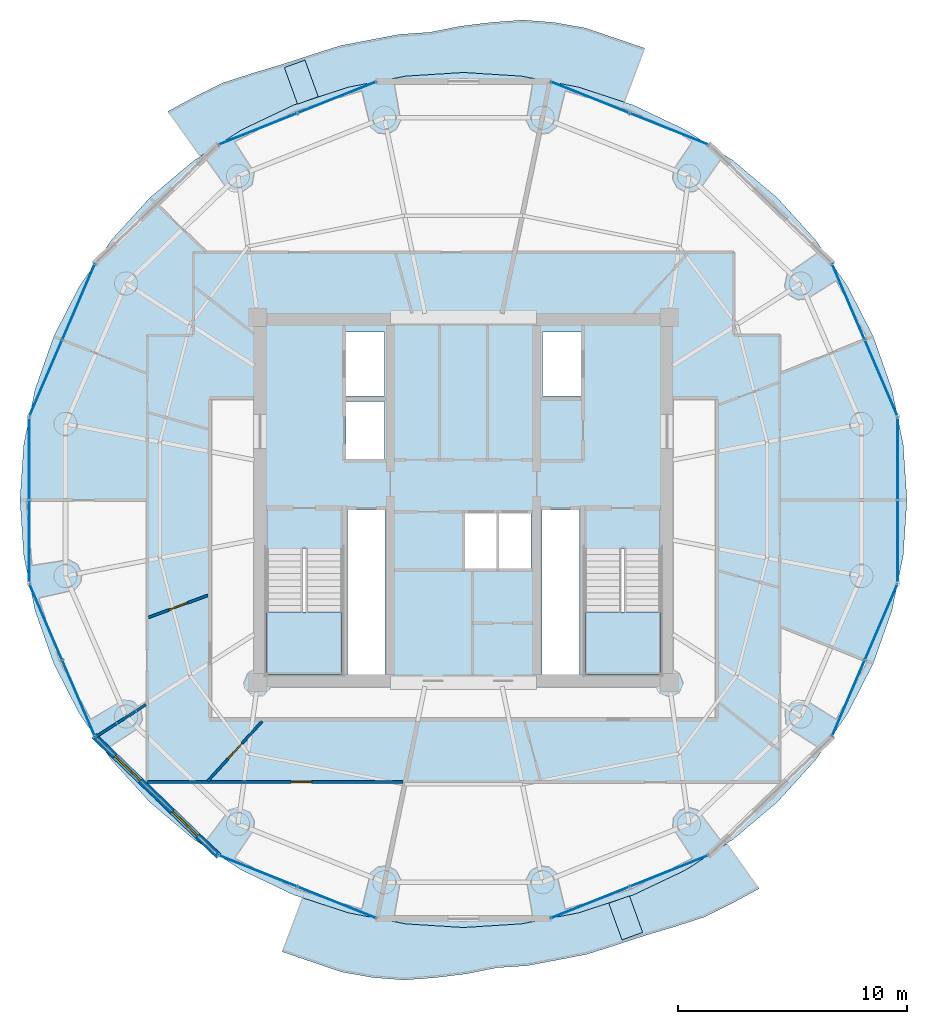
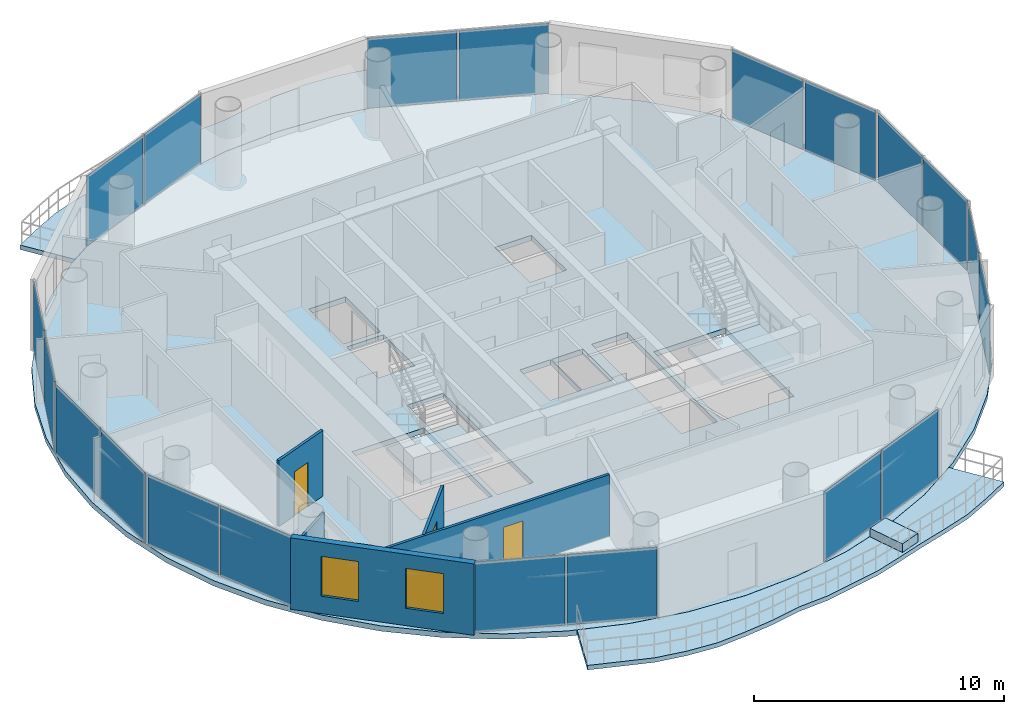
# One storey, part 14 of 22: 20 plates, 7 slabs, 5 walls, 3 doors, 2 windows, 5 openings, 12 elements without a shape of their own.
"""IFC4 building model written with IfcOpenShell, lengths in metres."""

from ifc_helpers import new_model, si_unit, direction, frame, frame_2d, origin, origin_2d, place, context, subcontext, project, spatial, polyline, rectangle, outline, extrude, source, transform, mapped, material, layer, layer_set, type_object, element, fill, aggregate, save


model = new_model("IFC4")

# Units and contexts
model_context = context("Model", 3, precision=1e-05, world=origin(), true_north=direction((-0.2419218956, 0.970295726276)))
body_context = subcontext(model_context, "Body", "Model", "MODEL_VIEW")
ifc_project = project(units=[si_unit("LENGTHUNIT", "METRE"), si_unit("AREAUNIT", "SQUARE_METRE"), si_unit("VOLUMEUNIT", "CUBIC_METRE"), si_unit("PLANEANGLEUNIT", "RADIAN"), si_unit("MASSUNIT", "GRAM", prefix="KILO")], contexts=[model_context])

# Site, building, storey
site_placement = place(None, origin())
site = spatial("IfcSite", under=ifc_project, at=site_placement, CompositionType="ELEMENT")
building_placement = place(site_placement, origin())
building = spatial("IfcBuilding", under=site, at=building_placement, Name="Cobrevalo Terracotta Tower", CompositionType="ELEMENT")
storey_placement = place(building_placement, frame((0.0, 0.0, 289.449951171875)))
storey = spatial("IfcBuildingStorey", under=building, at=storey_placement, Name="L76", CompositionType="ELEMENT", Elevation=289.449951171875)

# Stair, slab
ifc_material_1 = material(Name="Concrete C50", Category="concrete")
stair_type = type_object("IfcStairType", Name="Core protected escape dogleg stair 1600", PredefinedType="HALF_TURN_STAIR", material=ifc_material_1)
stair_1_placement = place(storey_placement, origin())
stair_1 = element("IfcStair", 1, at=stair_1_placement, inside=storey, type_object=stair_type, Name="L76 Protected exit stair ST-1", PredefinedType="HALF_TURN_STAIR")
ifc_layer_1 = layer(ifc_material_1, 0.199951171875)
ifc_layer_set_1 = layer_set([ifc_layer_1], Name="Concrete C50")
slab_type_1 = type_object("IfcSlabType", Name="Reinforced Concrete Stair Landing 200", PredefinedType="LANDING", material=ifc_layer_set_1)
slab_1_placement = place(storey_placement, frame((0.0, 0.0, 1.675048828125)))
slab_1 = element("IfcSlab", 2, at=slab_1_placement, type_object=slab_type_1, Name="ST-1 landing 1", PredefinedType="LANDING", context=body_context, shape_type="SweptSolid", body=[
    extrude(outline(polyline([(29.375, 21.89990234375), (29.375, 19.175048828125), (32.695068359375, 19.175048828125), (32.695068359375, 21.89990234375), (29.375, 21.89990234375)])), origin(), (0.0, 0.0, 1.0), 0.199951171875),
])
aggregate(stair_1, [slab_1])

stair_2_placement = place(storey_placement, origin())
stair_2 = element("IfcStair", 3, at=stair_2_placement, inside=storey, type_object=stair_type, Name="L76 Protected exit stair ST-2", PredefinedType="HALF_TURN_STAIR")
slab_2_placement = place(storey_placement, frame((0.0, 0.0, 1.675048828125)))
slab_2 = element("IfcSlab", 4, at=slab_2_placement, type_object=slab_type_1, Name="ST-2 landing 1", PredefinedType="LANDING", context=body_context, shape_type="SweptSolid", body=[
    extrude(outline(polyline([(43.304931640625, 21.89990234375), (43.304931640625, 19.175048828125), (46.625, 19.175048828125), (46.625, 21.89990234375), (43.304931640625, 21.89990234375)])), origin(), (0.0, 0.0, 1.0), 0.199951171875),
])
aggregate(stair_2, [slab_2])

# Slabs
ifc_material_2 = material(Name="Concrete C45", Category="concrete")
ifc_layer_2 = layer(ifc_material_2, 0.219970703125)
ifc_layer_set_2 = layer_set([ifc_layer_2], Name="Concrete C45")
slab_type_2 = type_object("IfcSlabType", Name="Spiralling cantilevered balcony lobe slab 220 mm", PredefinedType="FLOOR", material=ifc_layer_set_2)
slab_3_placement = place(storey_placement, frame((0.0, 0.0, -0.219970703125)))
element("IfcSlab", 5, at=slab_3_placement, inside=storey, type_object=slab_type_2, Name="L76 spiralling arc balcony slab lobe 1", PredefinedType="FLOOR", context=body_context, shape_type="SweptSolid", body=[
    extrude(outline(polyline([(45.924560546875, 46.564208984375), (44.626708984375, 47.00732421875), (43.32470703125, 47.447998046875), (41.968505859375, 47.68994140625), (40.59814453125, 47.796875), (39.22021484375, 47.693359375), (37.865478515625, 47.52734375), (36.535888671875, 47.26123046875), (35.205810546875, 47.169921875), (33.89697265625, 46.922607421875), (32.58935546875, 46.66845703125), (31.322021484375, 46.26708984375), (30.058837890625, 45.850830078125), (28.775146484375, 45.468994140625), (27.48291015625, 45.050048828125), (26.271240234375, 44.45361328125), (25.077392578125, 43.801513671875), (26.4833984375, 41.826904296875), (28.299072265625, 42.996337890625), (30.5751953125, 44.078369140625), (32.978271484375, 44.86474609375), (35.467529296875, 45.342041015625), (38.0, 45.501953125), (40.532470703125, 45.342041015625), (43.021728515625, 44.86474609375), (45.0380859375, 44.204833984375), (45.924560546875, 46.564208984375)])), origin(), (0.0, 0.0, 1.0), 0.219970703125),
])
slab_4_placement = place(storey_placement, frame((0.0, 0.0, -0.219970703125)))
element("IfcSlab", 6, at=slab_4_placement, inside=storey, type_object=slab_type_2, Name="L76 spiralling arc balcony slab lobe 2", PredefinedType="FLOOR", context=body_context, shape_type="SweptSolid", body=[
    extrude(outline(polyline([(30.075439453125, 7.035888671875), (31.373291015625, 6.592529296875), (32.67529296875, 6.152099609375), (34.031494140625, 5.91015625), (35.40185546875, 5.802978515625), (36.77978515625, 5.90673828125), (38.134521484375, 6.07275390625), (39.464111328125, 6.3388671875), (40.794189453125, 6.43017578125), (42.10302734375, 6.677490234375), (43.41064453125, 6.931640625), (44.677978515625, 7.332763671875), (45.941162109375, 7.7490234375), (47.224853515625, 8.131103515625), (48.51708984375, 8.550048828125), (49.728759765625, 9.146240234375), (50.922607421875, 9.79833984375), (49.5166015625, 11.77294921875), (47.700927734375, 10.603515625), (45.4248046875, 9.521484375), (43.021728515625, 8.7353515625), (40.532470703125, 8.258056640625), (38.0, 8.097900390625), (35.467529296875, 8.258056640625), (32.978271484375, 8.7353515625), (30.9619140625, 9.39501953125), (30.075439453125, 7.035888671875)])), origin(), (0.0, 0.0, 1.0), 0.219970703125),
])
ifc_material_3 = material(Name="Precast concrete C45", Category="concrete")
ifc_layer_3 = layer(ifc_material_3, 0.419921875)
ifc_layer_set_3 = layer_set([ifc_layer_3], Name="Precast concrete C45")
slab_type_3 = type_object("IfcSlabType", Name="Structural tree planter trough base 420 mm", PredefinedType="USERDEFINED", material=ifc_layer_set_3)
slab_5_placement = place(storey_placement, origin())
element("IfcSlab", 7, at=slab_5_placement, inside=storey, type_object=slab_type_3, Name="L76 structural tree planter trough 1", ObjectType="PLANTER", PredefinedType="USERDEFINED", context=body_context, shape_type="SweptSolid", body=[
    extrude(outline(polyline([(31.644287109375, 44.4423828125), (31.06591796875, 46.041015625), (30.163330078125, 45.714599609375), (30.74169921875, 44.115966796875), (31.644287109375, 44.4423828125)])), origin(), (0.0, 0.0, 1.0), 0.420166015625),
])
slab_6_placement = place(storey_placement, origin())
element("IfcSlab", 8, at=slab_6_placement, inside=storey, type_object=slab_type_3, Name="L76 structural tree planter trough 2", ObjectType="PLANTER", PredefinedType="USERDEFINED", context=body_context, shape_type="SweptSolid", body=[
    extrude(outline(polyline([(44.355712890625, 9.157470703125), (44.93408203125, 7.558837890625), (45.836669921875, 7.885498046875), (45.25830078125, 9.484130859375), (44.355712890625, 9.157470703125)])), origin(), (0.0, 0.0, 1.0), 0.420166015625),
])
ifc_layer_4 = layer(ifc_material_2, 0.260009765625)
ifc_layer_set_4 = layer_set([ifc_layer_4], Name="Concrete C45")
slab_type_4 = type_object("IfcSlabType", Name="Zone Z5 elliptical floor plate 260 mm", PredefinedType="FLOOR", material=ifc_layer_set_4)
slab_7_placement = place(storey_placement, frame((0.0, 0.0, -0.260009765625)))
element("IfcSlab", 9, at=slab_7_placement, inside=storey, type_object=slab_type_4, Name="L76 indoor elliptical floor slab", PredefinedType="FLOOR", context=body_context, shape_type="SweptSolid", body=[
    extrude(outline(polyline([(57.234130859375, 24.359130859375), (56.739013671875, 21.9599609375), (55.92333984375, 19.643798828125), (54.80078125, 17.449951171875), (53.39111328125, 15.416259765625), (51.7177734375, 13.5771484375), (49.81005859375, 11.96435546875), (47.699951171875, 10.605224609375), (45.424072265625, 9.5234375), (43.02099609375, 8.7373046875), (40.5322265625, 8.260009765625), (38.0, 8.10009765625), (35.4677734375, 8.260009765625), (32.97900390625, 8.7373046875), (30.575927734375, 9.5234375), (28.300048828125, 10.605224609375), (26.18994140625, 11.96435546875), (24.2822265625, 13.5771484375), (22.60888671875, 15.416259765625), (21.19921875, 17.449951171875), (20.07666015625, 19.643798828125), (19.260986328125, 21.9599609375), (18.765869140625, 24.359130859375), (18.60009765625, 26.800048828125), (18.765869140625, 29.24072265625), (19.260986328125, 31.639892578125), (20.07666015625, 33.956298828125), (21.19921875, 36.14990234375), (22.60888671875, 38.183837890625), (24.2822265625, 40.02294921875), (26.18994140625, 41.6357421875), (28.300048828125, 42.99462890625), (30.575927734375, 44.07666015625), (32.97900390625, 44.86279296875), (35.4677734375, 45.340087890625), (38.0, 45.5), (40.5322265625, 45.340087890625), (43.02099609375, 44.86279296875), (45.424072265625, 44.07666015625), (47.699951171875, 42.99462890625), (49.81005859375, 41.6357421875), (51.7177734375, 40.02294921875), (53.39111328125, 38.183837890625), (54.80078125, 36.14990234375), (55.92333984375, 33.956298828125), (56.739013671875, 31.639892578125), (57.234130859375, 29.24072265625), (57.39990234375, 26.800048828125), (57.234130859375, 24.359130859375)]), holes=[polyline([(32.695068359375, 19.175048828125), (32.695068359375, 24.659912109375), (29.375, 24.659912109375), (29.375, 19.175048828125), (32.695068359375, 19.175048828125)]), polyline([(46.625, 19.175048828125), (46.625, 24.659912109375), (43.304931640625, 24.659912109375), (43.304931640625, 19.175048828125), (46.625, 19.175048828125)]), polyline([(34.574951171875, 26.360107421875), (32.919921875, 26.360107421875), (32.919921875, 19.175048828125), (34.574951171875, 19.175048828125), (34.574951171875, 26.360107421875)]), polyline([(43.080078125, 26.360107421875), (41.425048828125, 26.360107421875), (41.425048828125, 19.175048828125), (43.080078125, 19.175048828125), (43.080078125, 26.360107421875)]), polyline([(39.469970703125, 26.25), (38.0400390625, 26.25), (38.0400390625, 23.800048828125), (39.469970703125, 23.800048828125), (39.469970703125, 26.25)]), polyline([(40.949951171875, 26.25), (39.52001953125, 26.25), (39.52001953125, 23.800048828125), (40.949951171875, 23.800048828125), (40.949951171875, 26.25)]), polyline([(34.550048828125, 31.10009765625), (32.85009765625, 31.10009765625), (32.85009765625, 28.60009765625), (34.550048828125, 28.60009765625), (34.550048828125, 31.10009765625)]), polyline([(34.550048828125, 31.35009765625), (34.550048828125, 34.14990234375), (32.85009765625, 34.14990234375), (32.85009765625, 31.35009765625), (34.550048828125, 31.35009765625)]), polyline([(43.14990234375, 31.35009765625), (43.14990234375, 34.14990234375), (41.449951171875, 34.14990234375), (41.449951171875, 31.35009765625), (43.14990234375, 31.35009765625)])]), origin(), (0.0, 0.0, 1.0), 0.260009765625),
])

# Curtain wall, plates
ifc_material_4 = material(Name="Anodized aluminium", Category="aluminium")
curtain_wall_type = type_object("IfcCurtainWallType", Name="Upper-tower triple-glazed penthouse curtain wall CW-U3", PredefinedType="NOTDEFINED", material=ifc_material_4)
curtain_wall_1_placement = place(storey_placement, origin())
curtain_wall_1 = element("IfcCurtainWall", 10, at=curtain_wall_1_placement, inside=storey, type_object=curtain_wall_type, Name="L76 curtain wall CW-L76-S03", PredefinedType="NOTDEFINED")
ifc_material_5 = material(Name="Solar-control low-E double glazing", Category="glass")
ifc_layer_5 = layer(ifc_material_5, 0.028076171875)
ifc_layer_set_5 = layer_set([ifc_layer_5], Name="Solar-control low-E double glazing")
plate_type = type_object("IfcPlateType", Name="Tower solar-control low-E vision glass panel 28 mm", PredefinedType="CURTAIN_PANEL", material=ifc_layer_set_5)
shared_shape_1 = source(origin(), body_context, "Body", "SweptSolid", [
    extrude(rectangle(XDim=3.63916015625, YDim=0.035888671875, at=origin_2d()), origin(), (0.0, 0.0, 1.0), 3.409912109375),
])
plate_1_placement = place(storey_placement, frame((46.997314453125, 43.02783203125, 0.0400390625), z_axis=(0.0, 0.0, 1.0), x_axis=(-0.92871833374, 0.370785998353, 0.0)))
plate_1 = element("IfcPlate", 11, at=plate_1_placement, type_object=plate_type, Name="CW-L76-S03 glazing panel B01", PredefinedType="CURTAIN_PANEL", context=body_context, shape_type="MappedRepresentation", body=[
    mapped(shared_shape_1, transform((0.0, 0.0, 0.0), scale=1.0)),
])
plate_2_placement = place(storey_placement, frame((43.543212890625, 44.406982421875, 0.0400390625), z_axis=(0.0, 0.0, 1.0), x_axis=(-0.92871833374, 0.370785998353, 0.0)))
plate_2 = element("IfcPlate", 12, at=plate_2_placement, type_object=plate_type, Name="CW-L76-S03 glazing panel B02", PredefinedType="CURTAIN_PANEL", context=body_context, shape_type="MappedRepresentation", body=[
    mapped(shared_shape_1, transform((0.0, 0.0, 0.0), scale=1.0)),
])
aggregate(curtain_wall_1, [plate_1, plate_2])

curtain_wall_2_placement = place(storey_placement, origin())
curtain_wall_2 = element("IfcCurtainWall", 13, at=curtain_wall_2_placement, inside=storey, type_object=curtain_wall_type, Name="L76 curtain wall CW-L76-S05", PredefinedType="NOTDEFINED")
plate_3_placement = place(storey_placement, frame((32.456787109375, 44.406982421875, 0.0400390625), z_axis=(0.0, 0.0, 1.0), x_axis=(-0.92871833374, -0.370785998353, 0.0)))
plate_3 = element("IfcPlate", 14, at=plate_3_placement, type_object=plate_type, Name="CW-L76-S05 glazing panel B01", PredefinedType="CURTAIN_PANEL", context=body_context, shape_type="MappedRepresentation", body=[
    mapped(shared_shape_1, transform((0.0, 0.0, 0.0), scale=1.0)),
])
plate_4_placement = place(storey_placement, frame((29.002685546875, 43.02783203125, 0.0400390625), z_axis=(0.0, 0.0, 1.0), x_axis=(-0.92871833374, -0.370785998353, 0.0)))
plate_4 = element("IfcPlate", 15, at=plate_4_placement, type_object=plate_type, Name="CW-L76-S05 glazing panel B02", PredefinedType="CURTAIN_PANEL", context=body_context, shape_type="MappedRepresentation", body=[
    mapped(shared_shape_1, transform((0.0, 0.0, 0.0), scale=1.0)),
])
aggregate(curtain_wall_2, [plate_3, plate_4])

curtain_wall_3_placement = place(storey_placement, origin())
curtain_wall_3 = element("IfcCurtainWall", 16, at=curtain_wall_3_placement, inside=storey, type_object=curtain_wall_type, Name="L76 curtain wall CW-L76-S11", PredefinedType="NOTDEFINED")
plate_5_placement = place(storey_placement, frame((29.002685546875, 10.572021484375, 0.0400390625), z_axis=(0.0, 0.0, 1.0), x_axis=(0.92871833374, -0.370785998353, 0.0)))
plate_5 = element("IfcPlate", 17, at=plate_5_placement, type_object=plate_type, Name="CW-L76-S11 glazing panel B01", PredefinedType="CURTAIN_PANEL", context=body_context, shape_type="MappedRepresentation", body=[
    mapped(shared_shape_1, transform((0.0, 0.0, 0.0), scale=1.0)),
])
plate_6_placement = place(storey_placement, frame((32.456787109375, 9.193115234375, 0.0400390625), z_axis=(0.0, 0.0, 1.0), x_axis=(0.92871833374, -0.370785998353, 0.0)))
plate_6 = element("IfcPlate", 18, at=plate_6_placement, type_object=plate_type, Name="CW-L76-S11 glazing panel B02", PredefinedType="CURTAIN_PANEL", context=body_context, shape_type="MappedRepresentation", body=[
    mapped(shared_shape_1, transform((0.0, 0.0, 0.0), scale=1.0)),
])
aggregate(curtain_wall_3, [plate_5, plate_6])

curtain_wall_4_placement = place(storey_placement, origin())
curtain_wall_4 = element("IfcCurtainWall", 19, at=curtain_wall_4_placement, inside=storey, type_object=curtain_wall_type, Name="L76 curtain wall CW-L76-S13", PredefinedType="NOTDEFINED")
plate_7_placement = place(storey_placement, frame((43.543212890625, 9.193115234375, 0.0400390625), z_axis=(0.0, 0.0, 1.0), x_axis=(0.92871833374, 0.370785998353, 0.0)))
plate_7 = element("IfcPlate", 20, at=plate_7_placement, type_object=plate_type, Name="CW-L76-S13 glazing panel B01", PredefinedType="CURTAIN_PANEL", context=body_context, shape_type="MappedRepresentation", body=[
    mapped(shared_shape_1, transform((0.0, 0.0, 0.0), scale=1.0)),
])
plate_8_placement = place(storey_placement, frame((46.997314453125, 10.572021484375, 0.0400390625), z_axis=(0.0, 0.0, 1.0), x_axis=(0.92871833374, 0.370785998353, 0.0)))
plate_8 = element("IfcPlate", 21, at=plate_8_placement, type_object=plate_type, Name="CW-L76-S13 glazing panel B02", PredefinedType="CURTAIN_PANEL", context=body_context, shape_type="MappedRepresentation", body=[
    mapped(shared_shape_1, transform((0.0, 0.0, 0.0), scale=1.0)),
])
aggregate(curtain_wall_4, [plate_7, plate_8])

curtain_wall_5_placement = place(storey_placement, origin())
curtain_wall_5 = element("IfcCurtainWall", 22, at=curtain_wall_5_placement, inside=storey, type_object=curtain_wall_type, Name="L76 curtain wall CW-L76-S01", PredefinedType="NOTDEFINED")
shared_shape_2 = source(origin(), body_context, "Body", "SweptSolid", [
    extrude(rectangle(XDim=3.542724609375, YDim=0.035888671875, at=origin_2d()), origin(), (0.0, 0.0, 1.0), 3.409912109375),
])
plate_9_placement = place(storey_placement, frame((56.266845703125, 32.143310546875, 0.0400390625), z_axis=(0.0, 0.0, 1.0), x_axis=(-0.394828845134, 0.918754691444, 0.0)))
plate_9 = element("IfcPlate", 23, at=plate_9_placement, type_object=plate_type, Name="CW-L76-S01 glazing panel B01", PredefinedType="CURTAIN_PANEL", context=body_context, shape_type="MappedRepresentation", body=[
    mapped(shared_shape_2, transform((0.0, 0.0, 0.0), scale=1.0)),
])
plate_10_placement = place(storey_placement, frame((54.83642578125, 35.4716796875, 0.0400390625), z_axis=(0.0, 0.0, 1.0), x_axis=(-0.394828845134, 0.918754691444, 0.0)))
plate_10 = element("IfcPlate", 24, at=plate_10_placement, type_object=plate_type, Name="CW-L76-S01 glazing panel B02", PredefinedType="CURTAIN_PANEL", context=body_context, shape_type="MappedRepresentation", body=[
    mapped(shared_shape_2, transform((0.0, 0.0, 0.0), scale=1.0)),
])
aggregate(curtain_wall_5, [plate_9, plate_10])

curtain_wall_6_placement = place(storey_placement, origin())
curtain_wall_6 = element("IfcCurtainWall", 25, at=curtain_wall_6_placement, inside=storey, type_object=curtain_wall_type, Name="L76 curtain wall CW-L76-S07", PredefinedType="NOTDEFINED")
plate_11_placement = place(storey_placement, frame((21.16357421875, 35.4716796875, 0.0400390625), z_axis=(0.0, 0.0, 1.0), x_axis=(-0.394828845134, -0.918754691444, 0.0)))
plate_11 = element("IfcPlate", 26, at=plate_11_placement, type_object=plate_type, Name="CW-L76-S07 glazing panel B01", PredefinedType="CURTAIN_PANEL", context=body_context, shape_type="MappedRepresentation", body=[
    mapped(shared_shape_2, transform((0.0, 0.0, 0.0), scale=1.0)),
])
plate_12_placement = place(storey_placement, frame((19.733154296875, 32.143310546875, 0.0400390625), z_axis=(0.0, 0.0, 1.0), x_axis=(-0.394828845134, -0.918754691444, 0.0)))
plate_12 = element("IfcPlate", 27, at=plate_12_placement, type_object=plate_type, Name="CW-L76-S07 glazing panel B02", PredefinedType="CURTAIN_PANEL", context=body_context, shape_type="MappedRepresentation", body=[
    mapped(shared_shape_2, transform((0.0, 0.0, 0.0), scale=1.0)),
])
aggregate(curtain_wall_6, [plate_11, plate_12])

curtain_wall_7_placement = place(storey_placement, origin())
curtain_wall_7 = element("IfcCurtainWall", 28, at=curtain_wall_7_placement, inside=storey, type_object=curtain_wall_type, Name="L76 curtain wall CW-L76-S09", PredefinedType="NOTDEFINED")
plate_13_placement = place(storey_placement, frame((19.733154296875, 21.456787109375, 0.0400390625), z_axis=(0.0, 0.0, 1.0), x_axis=(0.394828845134, -0.918754691444, 0.0)))
plate_13 = element("IfcPlate", 29, at=plate_13_placement, type_object=plate_type, Name="CW-L76-S09 glazing panel B01", PredefinedType="CURTAIN_PANEL", context=body_context, shape_type="MappedRepresentation", body=[
    mapped(shared_shape_2, transform((0.0, 0.0, 0.0), scale=1.0)),
])
plate_14_placement = place(storey_placement, frame((21.16357421875, 18.12841796875, 0.0400390625), z_axis=(0.0, 0.0, 1.0), x_axis=(0.394828845134, -0.918754691444, 0.0)))
plate_14 = element("IfcPlate", 30, at=plate_14_placement, type_object=plate_type, Name="CW-L76-S09 glazing panel B02", PredefinedType="CURTAIN_PANEL", context=body_context, shape_type="MappedRepresentation", body=[
    mapped(shared_shape_2, transform((0.0, 0.0, 0.0), scale=1.0)),
])
aggregate(curtain_wall_7, [plate_13, plate_14])

curtain_wall_8_placement = place(storey_placement, origin())
curtain_wall_8 = element("IfcCurtainWall", 31, at=curtain_wall_8_placement, inside=storey, type_object=curtain_wall_type, Name="L76 curtain wall CW-L76-S15", PredefinedType="NOTDEFINED")
plate_15_placement = place(storey_placement, frame((54.83642578125, 18.12841796875, 0.0400390625), z_axis=(0.0, 0.0, 1.0), x_axis=(0.394828845134, 0.918754691444, 0.0)))
plate_15 = element("IfcPlate", 32, at=plate_15_placement, type_object=plate_type, Name="CW-L76-S15 glazing panel B01", PredefinedType="CURTAIN_PANEL", context=body_context, shape_type="MappedRepresentation", body=[
    mapped(shared_shape_2, transform((0.0, 0.0, 0.0), scale=1.0)),
])
plate_16_placement = place(storey_placement, frame((56.266845703125, 21.456787109375, 0.0400390625), z_axis=(0.0, 0.0, 1.0), x_axis=(0.394828845134, 0.918754691444, 0.0)))
plate_16 = element("IfcPlate", 33, at=plate_16_placement, type_object=plate_type, Name="CW-L76-S15 glazing panel B02", PredefinedType="CURTAIN_PANEL", context=body_context, shape_type="MappedRepresentation", body=[
    mapped(shared_shape_2, transform((0.0, 0.0, 0.0), scale=1.0)),
])
aggregate(curtain_wall_8, [plate_15, plate_16])

curtain_wall_9_placement = place(storey_placement, origin())
curtain_wall_9 = element("IfcCurtainWall", 34, at=curtain_wall_9_placement, inside=storey, type_object=curtain_wall_type, Name="L76 curtain wall CW-L76-S08", PredefinedType="NOTDEFINED")
shared_shape_3 = source(origin(), body_context, "Body", "SweptSolid", [
    extrude(rectangle(XDim=3.522216796875, YDim=0.035888671875, at=origin_2d()), origin(), (0.0, 0.0, 1.0), 3.409912109375),
])
plate_17_placement = place(storey_placement, frame((19.002197265625, 28.60107421875, 0.0400390625), z_axis=(0.0, 0.0, 1.0), x_axis=(0.0, -1.0, 0.0)))
plate_17 = element("IfcPlate", 35, at=plate_17_placement, type_object=plate_type, Name="CW-L76-S08 glazing panel B01", PredefinedType="CURTAIN_PANEL", context=body_context, shape_type="MappedRepresentation", body=[
    mapped(shared_shape_3, transform((0.0, 0.0, 0.0), scale=1.0)),
])
plate_18_placement = place(storey_placement, frame((19.002197265625, 24.998779296875, 0.0400390625), z_axis=(0.0, 0.0, 1.0), x_axis=(0.0, -1.0, 0.0)))
plate_18 = element("IfcPlate", 36, at=plate_18_placement, type_object=plate_type, Name="CW-L76-S08 glazing panel B02", PredefinedType="CURTAIN_PANEL", context=body_context, shape_type="MappedRepresentation", body=[
    mapped(shared_shape_3, transform((0.0, 0.0, 0.0), scale=1.0)),
])
aggregate(curtain_wall_9, [plate_17, plate_18])

curtain_wall_10_placement = place(storey_placement, origin())
curtain_wall_10 = element("IfcCurtainWall", 37, at=curtain_wall_10_placement, inside=storey, type_object=curtain_wall_type, Name="L76 curtain wall CW-L76-S16", PredefinedType="NOTDEFINED")
plate_19_placement = place(storey_placement, frame((56.997802734375, 24.998779296875, 0.0400390625), z_axis=(0.0, 0.0, 1.0), x_axis=(0.0, 1.0, 0.0)))
plate_19 = element("IfcPlate", 38, at=plate_19_placement, type_object=plate_type, Name="CW-L76-S16 glazing panel B01", PredefinedType="CURTAIN_PANEL", context=body_context, shape_type="MappedRepresentation", body=[
    mapped(shared_shape_3, transform((0.0, 0.0, 0.0), scale=1.0)),
])
plate_20_placement = place(storey_placement, frame((56.997802734375, 28.60107421875, 0.0400390625), z_axis=(0.0, 0.0, 1.0), x_axis=(0.0, 1.0, 0.0)))
plate_20 = element("IfcPlate", 39, at=plate_20_placement, type_object=plate_type, Name="CW-L76-S16 glazing panel B02", PredefinedType="CURTAIN_PANEL", context=body_context, shape_type="MappedRepresentation", body=[
    mapped(shared_shape_3, transform((0.0, 0.0, 0.0), scale=1.0)),
])
aggregate(curtain_wall_10, [plate_19, plate_20])

# Wall, openings, windows
ifc_material_6 = material(Name="Autoclaved aerated concrete block", Category="concrete")
ifc_layer_6 = layer(ifc_material_6, 0.280029296875)
ifc_layer_set_6 = layer_set([ifc_layer_6], Name="Autoclaved aerated concrete block")
wall_type_1 = type_object("IfcWallType", Name="Insulated tower spandrel & pier wall 280 mm with terracotta rainscreen", PredefinedType="SOLIDWALL", material=ifc_layer_set_6)
wall_1_placement = place(storey_placement, frame((21.8369140625, 16.48291015625, 0.0), z_axis=(0.0, 0.0, 1.0), x_axis=(0.719995397366, -0.69397883813, 0.0)))
wall_1 = element("IfcWall", 40, at=wall_1_placement, inside=storey, type_object=wall_type_1, Name="L76 terracotta rainscreen pier wall S10", PredefinedType="SOLIDWALL", context=body_context, shape_type="SweptSolid", body=[
    extrude(rectangle(XDim=7.582275390625, YDim=0.280029296875, at=frame_2d((3.791015625, 0.0))), origin(), (0.0, 0.0, 1.0), 3.489990234375),
])
opening_1_placement = place(wall_1_placement, frame((1.272216796875, 0.0, 0.85009765625)))
opening_1 = element("IfcOpeningElement", 41, at=opening_1_placement, cuts=wall_1, Name="Opening WN-12", PredefinedType="OPENING", context=body_context, shape_type="SweptSolid", body=[
    extrude(rectangle(XDim=1.550048828125, YDim=1.949951171875, at=frame_2d((0.77490234375, 0.97509765625))), frame((0.0, 0.14990234375, 0.0), z_axis=(0.0, -1.0, 0.0), x_axis=(1.0, 0.0, 0.0)), (0.0, 0.0, 1.0), 0.300048828125),
])
opening_2_placement = place(wall_1_placement, frame((4.76025390625, 0.0, 0.85009765625)))
opening_2 = element("IfcOpeningElement", 42, at=opening_2_placement, cuts=wall_1, Name="Opening WN-12", PredefinedType="OPENING", context=body_context, shape_type="SweptSolid", body=[
    extrude(rectangle(XDim=1.550048828125, YDim=1.949951171875, at=frame_2d((0.77490234375, 0.97509765625))), frame((0.0, 0.14990234375, 0.0), z_axis=(0.0, -1.0, 0.0), x_axis=(1.0, 0.0, 0.0)), (0.0, 0.0, 1.0), 0.300048828125),
])
window_type = type_object("IfcWindowType", Name="Solar-control low-E aluminium window 1550x1950", PartitioningType="SINGLE_PANEL", PredefinedType="WINDOW", material=ifc_material_5)
shared_shape_4 = source(origin(), body_context, "Body", "SweptSolid", [
    extrude(rectangle(XDim=1.550048828125, YDim=1.949951171875, at=frame_2d((0.77490234375, 0.97509765625))), frame((0.0, 0.030029296875, 0.0), z_axis=(0.0, -1.0, 0.0), x_axis=(1.0, 0.0, 0.0)), (0.0, 0.0, 1.0), 0.06005859375),
])
window_1_placement = place(opening_1_placement, origin())
window_1 = element("IfcWindow", 43, at=window_1_placement, inside=storey, type_object=window_type, Name="L76 suite window S10A", OverallHeight=1.949951171875, OverallWidth=1.550048828125, PartitioningType="SINGLE_PANEL", PredefinedType="WINDOW", context=body_context, shape_type="MappedRepresentation", body=[
    mapped(shared_shape_4, transform((0.0, 0.0, 0.0), scale=1.0)),
])
fill(opening_1, window_1)
window_2_placement = place(opening_2_placement, origin())
window_2 = element("IfcWindow", 44, at=window_2_placement, inside=storey, type_object=window_type, Name="L76 suite window S10B", OverallHeight=1.949951171875, OverallWidth=1.550048828125, PartitioningType="SINGLE_PANEL", PredefinedType="WINDOW", context=body_context, shape_type="MappedRepresentation", body=[
    mapped(shared_shape_4, transform((0.0, 0.0, 0.0), scale=1.0)),
])
fill(opening_2, window_2)

# Wall, opening, door
ifc_material_7 = material(Name="Gypsum board on steel stud", Category="steel")
ifc_layer_7 = layer(ifc_material_7, 0.1201171875)
ifc_layer_set_7 = layer_set([ifc_layer_7], Name="Gypsum board on steel stud")
wall_type_2 = type_object("IfcWallType", Name="Residential internal acoustic stud partition 120 mm", PredefinedType="PARTITIONING", material=ifc_layer_set_7)
wall_2_placement = place(storey_placement, frame((35.3525390625, 14.465087890625, 0.0), z_axis=(0.0, 0.0, 1.0), x_axis=(-1.0, 0.0, 0.0)))
wall_2 = element("IfcWall", 45, at=wall_2_placement, inside=storey, type_object=wall_type_2, Name="L76 interior partition IW-L76-U1-RING0_0", PredefinedType="PARTITIONING", context=body_context, shape_type="SweptSolid", body=[
    extrude(rectangle(XDim=11.1875, YDim=0.1201171875, at=frame_2d((5.59375, 0.0))), origin(), (0.0, 0.0, 1.0), 3.01513671875),
])
opening_3_placement = place(wall_2_placement, frame((3.997314453125, 0.0, 0.0)))
opening_3 = element("IfcOpeningElement", 46, at=opening_3_placement, cuts=wall_2, Name="Opening ID-12", PredefinedType="OPENING", context=body_context, shape_type="SweptSolid", body=[
    extrude(rectangle(XDim=0.89990234375, YDim=2.14990234375, at=frame_2d((0.449951171875, 1.074951171875))), frame((0.0, 0.070068359375, 0.0), z_axis=(0.0, -1.0, 0.0), x_axis=(1.0, 0.0, 0.0)), (0.0, 0.0, 1.0), 0.14013671875),
])
ifc_material_8 = material(Name="Engineered timber", Category="wood")
door_type_1 = type_object("IfcDoorType", Name="Internal residence & suite timber door 900x2150", OperationType="NOTDEFINED", PredefinedType="DOOR", material=ifc_material_8)
shared_shape_5 = source(origin(), body_context, "Body", "SweptSolid", [
    extrude(rectangle(XDim=0.89990234375, YDim=2.14990234375, at=frame_2d((0.449951171875, 1.074951171875))), frame((0.0, 0.02490234375, 0.0), z_axis=(0.0, -1.0, 0.0), x_axis=(1.0, 0.0, 0.0)), (0.0, 0.0, 1.0), 0.050048828125),
])
door_1_placement = place(opening_3_placement, origin())
door_1 = element("IfcDoor", 47, at=door_1_placement, inside=storey, type_object=door_type_1, Name="Flat L76A Private Cinema Room internal door", OperationType="SINGLE_SWING_RIGHT", OverallHeight=2.14990234375, OverallWidth=0.89990234375, PredefinedType="DOOR", context=body_context, shape_type="MappedRepresentation", body=[
    mapped(shared_shape_5, transform((0.0, 0.0, 0.0), scale=1.0)),
])
fill(opening_3, door_1)

# Wall
wall_3_placement = place(storey_placement, frame((24.11279296875, 17.855712890625, 0.0), z_axis=(0.0, 0.0, 1.0), x_axis=(-0.840708587197, -0.54148783127, 0.0)))
element("IfcWall", 48, at=wall_3_placement, inside=storey, type_object=wall_type_2, Name="L76 interior partition IW-L76-U1-ORAD3", PredefinedType="PARTITIONING", context=body_context, shape_type="SweptSolid", body=[
    extrude(rectangle(XDim=2.567626953125, YDim=0.1201171875, at=frame_2d((1.28369140625, 0.0))), origin(), (0.0, 0.0, 1.0), 3.01513671875),
])

# Wall, opening, door
wall_4_placement = place(storey_placement, frame((26.81494140625, 22.62890625, 0.0), z_axis=(0.0, 0.0, 1.0), x_axis=(-0.93696600231, -0.349420535338, 0.0)))
wall_4 = element("IfcWall", 49, at=wall_4_placement, inside=storey, type_object=wall_type_2, Name="L76 interior partition IW-L76-U1-IRAD4", PredefinedType="PARTITIONING", context=body_context, shape_type="SweptSolid", body=[
    extrude(rectangle(XDim=2.76611328125, YDim=0.1201171875, at=frame_2d((1.383056640625, 0.0))), origin(), (0.0, 0.0, 1.0), 3.208984375),
])
opening_4_placement = place(wall_4_placement, frame((0.953125, 0.0, 0.0)))
opening_4 = element("IfcOpeningElement", 50, at=opening_4_placement, cuts=wall_4, Name="Opening ID-19", PredefinedType="OPENING", context=body_context, shape_type="SweptSolid", body=[
    extrude(rectangle(XDim=0.860107421875, YDim=2.14990234375, at=frame_2d((0.43017578125, 1.074951171875))), frame((0.0, 0.070068359375, 0.0), z_axis=(0.0, -1.0, 0.0), x_axis=(1.0, 0.0, 0.0)), (0.0, 0.0, 1.0), 0.14013671875),
])
ifc_material_9 = material(Name="Moisture-sealed timber", Category="wood")
door_type_2 = type_object("IfcDoorType", Name="Suite bathroom internal timber door 860x2150", OperationType="NOTDEFINED", PredefinedType="DOOR", material=ifc_material_9)
shared_shape_6 = source(origin(), body_context, "Body", "SweptSolid", [
    extrude(rectangle(XDim=0.860107421875, YDim=2.14990234375, at=frame_2d((0.43017578125, 1.074951171875))), frame((0.0, 0.02490234375, 0.0), z_axis=(0.0, -1.0, 0.0), x_axis=(1.0, 0.0, 0.0)), (0.0, 0.0, 1.0), 0.050048828125),
])
door_2_placement = place(opening_4_placement, frame((0.860107421875, 0.0, 0.0), z_axis=(0.0, 0.0, 1.0), x_axis=(-1.0, 0.0, 0.0)))
door_2 = element("IfcDoor", 51, at=door_2_placement, inside=storey, type_object=door_type_2, Name="Flat L76A Primary Bathroom internal door", OperationType="SINGLE_SWING_LEFT", OverallHeight=2.14990234375, OverallWidth=0.860107421875, PredefinedType="DOOR", context=body_context, shape_type="MappedRepresentation", body=[
    mapped(shared_shape_6, transform((0.0, 0.0, 0.0), scale=1.0)),
])
fill(opening_4, door_2)

wall_5_placement = place(storey_placement, frame((29.1884765625, 17.114990234375, 0.0), z_axis=(0.0, 0.0, 1.0), x_axis=(-0.67292817107, -0.739707831904, 0.0)))
wall_5 = element("IfcWall", 52, at=wall_5_placement, inside=storey, type_object=wall_type_2, Name="L76 interior partition IW-L76-U1-IRAD5", PredefinedType="PARTITIONING", context=body_context, shape_type="SweptSolid", body=[
    extrude(rectangle(XDim=3.520751953125, YDim=0.1201171875, at=frame_2d((1.76025390625, 0.0))), origin(), (0.0, 0.0, 1.0), 3.01513671875),
])
opening_5_placement = place(wall_5_placement, frame((1.310302734375, 0.0, 0.0)))
opening_5 = element("IfcOpeningElement", 53, at=opening_5_placement, cuts=wall_5, Name="Opening ID-12", PredefinedType="OPENING", context=body_context, shape_type="SweptSolid", body=[
    extrude(rectangle(XDim=0.89990234375, YDim=2.14990234375, at=frame_2d((0.449951171875, 1.074951171875))), frame((0.0, 0.070068359375, 0.0), z_axis=(0.0, -1.0, 0.0), x_axis=(1.0, 0.0, 0.0)), (0.0, 0.0, 1.0), 0.14013671875),
])
door_3_placement = place(opening_5_placement, origin())
door_3 = element("IfcDoor", 54, at=door_3_placement, inside=storey, type_object=door_type_1, Name="Flat L76A Kitchen internal door", OperationType="SINGLE_SWING_RIGHT", OverallHeight=2.14990234375, OverallWidth=0.89990234375, PredefinedType="DOOR", context=body_context, shape_type="MappedRepresentation", body=[
    mapped(shared_shape_5, transform((0.0, 0.0, 0.0), scale=1.0)),
])
fill(opening_5, door_3)

save(model, "model.ifc")
